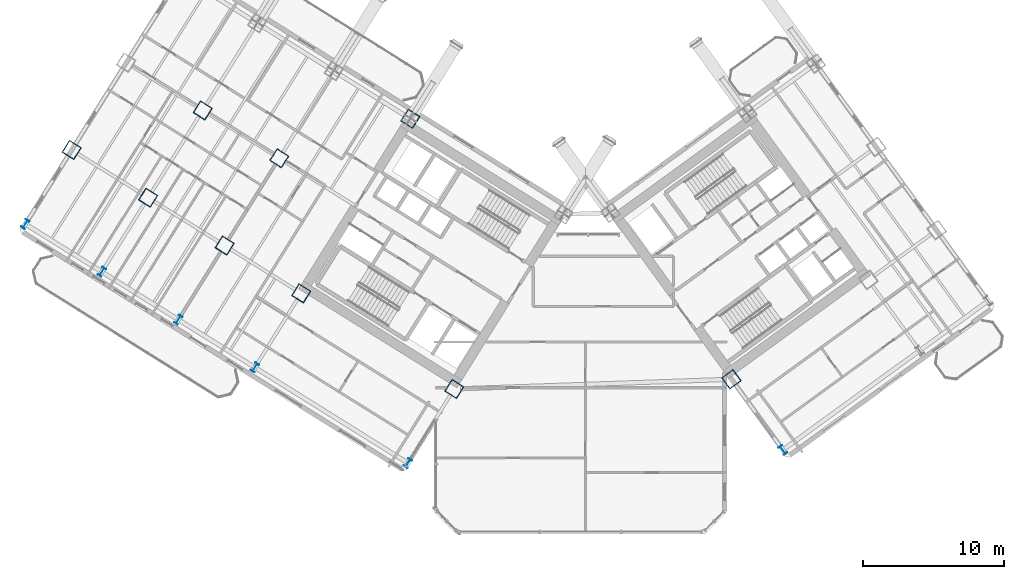
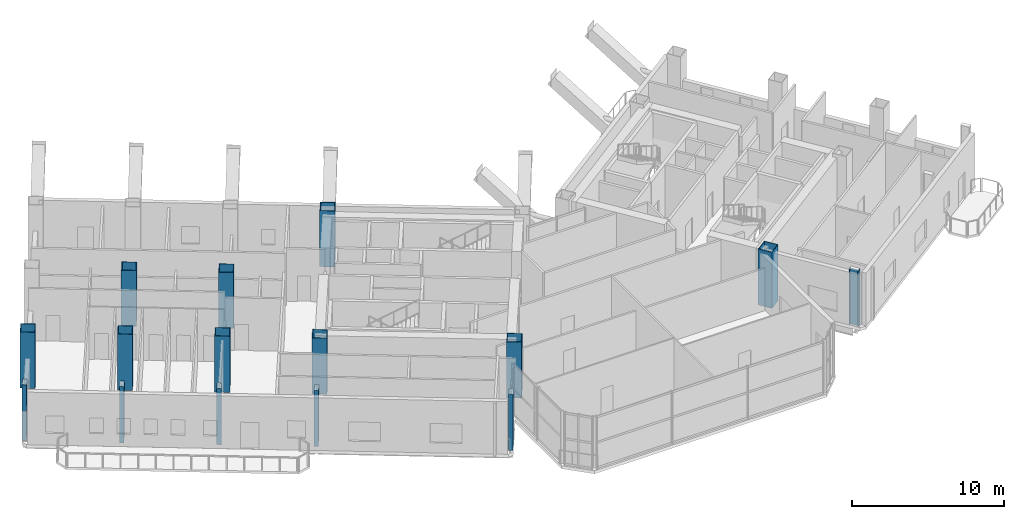
# One storey, part 1 of 30: 15 columns.
"""IFC4 building model written with IfcOpenShell, lengths in metres."""

from ifc_helpers import new_model, si_unit, direction, frame, origin, origin_2d, place, context, subcontext, project, spatial, hollow_rectangle, i_section, extrude, source, transform, mapped, material, material_profile, profile_set, type_object, element, save


model = new_model("IFC4")

# Units and contexts
model_context = context("Model", 3, precision=1e-05, world=origin(), true_north=direction((0.0, 1.0)))
body_context = subcontext(model_context, "Body", "Model", "MODEL_VIEW")
ifc_project = project(units=[si_unit("LENGTHUNIT", "METRE"), si_unit("AREAUNIT", "SQUARE_METRE"), si_unit("VOLUMEUNIT", "CUBIC_METRE"), si_unit("PLANEANGLEUNIT", "RADIAN"), si_unit("MASSUNIT", "GRAM", prefix="KILO")], contexts=[model_context])

# Site, building, storey
site_placement = place(None, origin())
site = spatial("IfcSite", under=ifc_project, at=site_placement, CompositionType="ELEMENT")
building_placement = place(site_placement, origin())
building = spatial("IfcBuilding", under=site, at=building_placement, Name="Tlacorven Tower", CompositionType="ELEMENT")
storey_placement = place(building_placement, frame((0.0, 0.0, 67.199951171875)))
storey = spatial("IfcBuildingStorey", under=building, at=storey_placement, Name="L17", CompositionType="ELEMENT", Elevation=67.199951171875)

# Columns
ifc_material = material(Name="Steel S460M", Category="steel")
ifc_material_profile_1 = material_profile(ifc_material, hollow_rectangle(XDim=1.0, YDim=1.0, WallThickness=0.0400390625, at=origin_2d()), Name="BOX 1000X1000X40")
ifc_profile_set_1 = profile_set([ifc_material_profile_1], Name="Steel S460M")
column_type_1 = type_object("IfcColumnType", Name="COL-TWR-S1", PredefinedType="COLUMN", material=ifc_profile_set_1)
shared_shape_1 = source(origin(), body_context, "Body", "SweptSolid", [
    extrude(hollow_rectangle(XDim=1.0, YDim=1.0, WallThickness=0.0400390625, at=origin_2d()), origin(), (0.0, 0.0, 1.0), 4.5),
])
for number, where, z_axis, x_axis, name in (
    (1, (33.046142578125, 12.0869140625, 0.0), (0.0, 0.0, 1.0), (-0.848048096156, 0.529919264233, 0.0), "L17 column COL-L17-W1-3"),
    (2, (29.927978515625, 31.25146484375, 0.0), (0.0, 0.0, 1.0), (-0.848048096156, 0.529919264233, 0.0), "L17 column COL-L17-W3-1"),
    (3, (22.191162109375, 18.869873046875, 0.0), (0.0, 0.0, 1.0), (-0.848048096156, 0.529919264233, 0.0), "L17 column COL-L17-W3-3"),
    (4, (20.632080078125, 28.4521484375, 0.0), (0.0, 0.0, 1.0), (-0.848048096156, 0.529919264233, 0.0), "L17 column COL-L17-W4-2"),
    (5, (16.763671875, 22.26123046875, 0.0), (0.0, 0.0, 1.0), (-0.848048096156, 0.529919264233, 0.0), "L17 column COL-L17-W4-3"),
    (6, (15.20458984375, 31.843505859375, 0.0), (0.0, 0.0, 1.0), (-0.848048096156, 0.529919264233, 0.0), "L17 column COL-L17-W5-2"),
    (7, (11.336181640625, 25.65283203125, 0.0), (0.0, 0.0, 1.0), (-0.848048096156, 0.529919264233, 0.0), "L17 column COL-L17-W5-3"),
    (8, (5.90869140625, 29.044189453125, 0.0), (0.0, 0.0, 1.0), (-0.848048096156, 0.529919264233, 0.0), "L17 column COL-L17-W6-3"),
    (9, (52.705322265625, 12.7734375, 0.0), (0.0, 0.0, 1.0), (0.809016994375, 0.587785252292, 0.0), "L17 column COL-L17-E1-2"),
):
    element("IfcColumn", number, at=place(storey_placement, frame(where, z_axis=z_axis, x_axis=x_axis)), inside=storey, type_object=column_type_1, Name=name, PredefinedType="COLUMN", context=body_context, shape_type="MappedRepresentation", body=[
        mapped(shared_shape_1, transform((0.0, 0.0, 0.0), scale=1.0)),
    ])
ifc_material_profile_2 = material_profile(ifc_material, i_section(OverallWidth=0.300048828125, OverallDepth=0.64990234375, WebThickness=0.01611328125, FlangeThickness=0.031005859375, at=origin_2d()), Name="HEB 650")
ifc_profile_set_2 = profile_set([ifc_material_profile_2], Name="Steel S460M")
column_type_2 = type_object("IfcColumnType", Name="COL-TWR-P1", PredefinedType="COLUMN", material=ifc_profile_set_2)
shared_shape_2 = source(origin(), body_context, "Body", "SweptSolid", [
    extrude(i_section(OverallWidth=0.300048828125, OverallDepth=0.64990234375, WebThickness=0.01611328125, FlangeThickness=0.031005859375, at=origin_2d()), origin(), (0.0, 0.0, 1.0), 4.5),
])
for number, where, z_axis, x_axis, name in (
    (10, (29.7607421875, 6.8291015625, 0.0), (0.0, 0.0, 1.0), (-0.848048096156, 0.529919264233, 0.0), "L17 column COL-L17-W1-4"),
    (11, (18.905517578125, 13.612060546875, 0.0), (0.0, 0.0, 1.0), (-0.848048096156, 0.529919264233, 0.0), "L17 column COL-L17-W3-4"),
    (12, (13.47802734375, 17.00341796875, 0.0), (0.0, 0.0, 1.0), (-0.848048096156, 0.529919264233, 0.0), "L17 column COL-L17-W4-4"),
    (13, (8.050537109375, 20.39501953125, 0.0), (0.0, 0.0, 1.0), (-0.848048096156, 0.529919264233, 0.0), "L17 column COL-L17-W5-4"),
    (14, (2.623046875, 23.786376953125, 0.0), (0.0, 0.0, 1.0), (-0.848048096156, 0.529919264233, 0.0), "L17 column COL-L17-W6-4"),
    (15, (56.349609375, 7.757568359375, 0.0), (0.0, 0.0, 1.0), (0.809016994375, 0.587785252292, 0.0), "L17 column COL-L17-E1-1"),
):
    element("IfcColumn", number, at=place(storey_placement, frame(where, z_axis=z_axis, x_axis=x_axis)), inside=storey, type_object=column_type_2, Name=name, PredefinedType="COLUMN", context=body_context, shape_type="MappedRepresentation", body=[
        mapped(shared_shape_2, transform((0.0, 0.0, 0.0), scale=1.0)),
    ])

save(model, "model.ifc")
